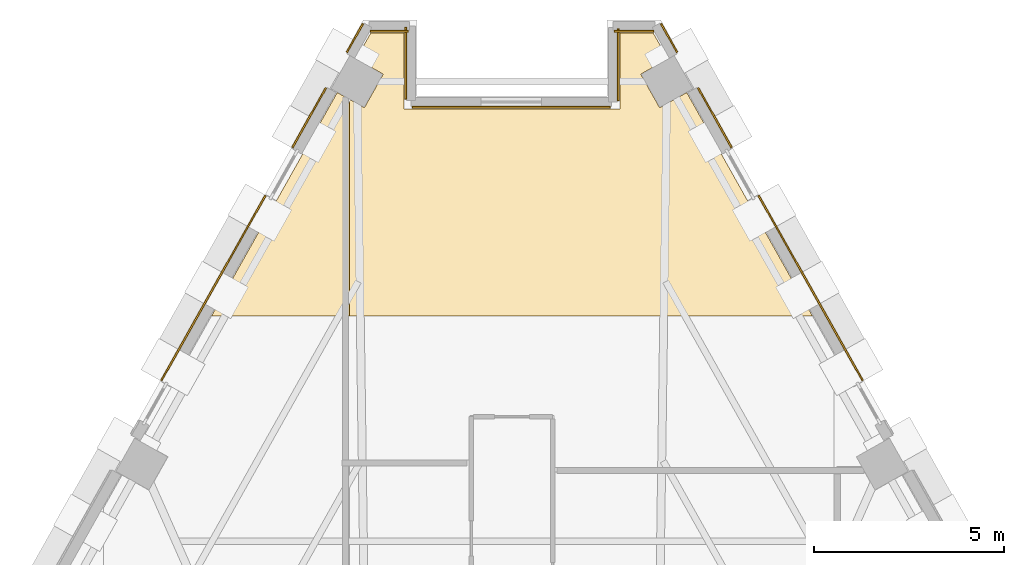
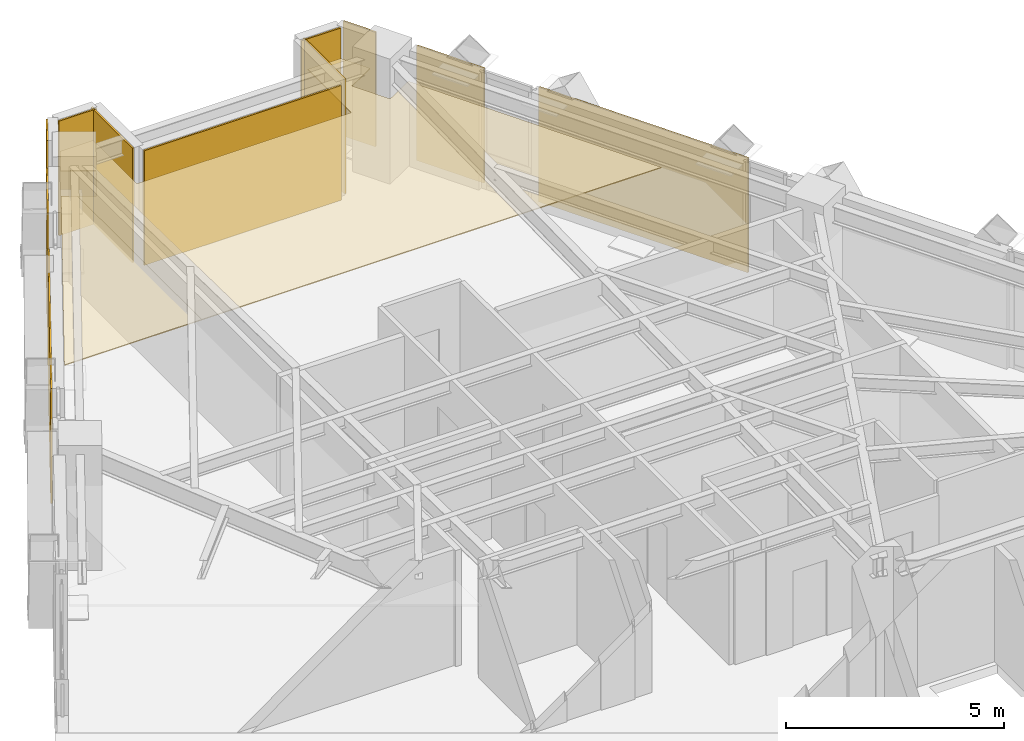
# One storey, part 13 of 13: 13 coverings.
"""IFC4 building model written with IfcOpenShell, lengths in metres."""

from ifc_helpers import new_model, si_unit, direction, frame, origin, place, context, subcontext, project, spatial, polyline, outline, extrude, material, layer, layer_set, type_object, element, save


model = new_model("IFC4")

# Units and contexts
model_context = context("Model", 3, precision=1e-05, world=origin(), true_north=direction((0.0, 1.0)))
body_context = subcontext(model_context, "Body", "Model", "MODEL_VIEW")
ifc_project = project(units=[si_unit("LENGTHUNIT", "METRE"), si_unit("AREAUNIT", "SQUARE_METRE"), si_unit("VOLUMEUNIT", "CUBIC_METRE"), si_unit("PLANEANGLEUNIT", "RADIAN"), si_unit("MASSUNIT", "GRAM", prefix="KILO")], contexts=[model_context])

# Site, building, storey
site_placement = place(None, origin())
site = spatial("IfcSite", under=ifc_project, at=site_placement, CompositionType="ELEMENT")
building_placement = place(site_placement, origin())
building = spatial("IfcBuilding", under=site, at=building_placement, Name="Quenlor Broadcast Tower", CompositionType="ELEMENT")
storey_placement = place(building_placement, frame((0.0, 0.0, 151.0)))
storey = spatial("IfcBuildingStorey", under=building, at=storey_placement, Name="L41", CompositionType="ELEMENT", Elevation=151.0)

# Coverings
ifc_material_1 = material(Name="Acoustic Mineral Fibre Board", Category="other")
ifc_layer_1 = layer(ifc_material_1, 0.02490234375)
ifc_layer_set_1 = layer_set([ifc_layer_1], Name="Acoustic Perforated Mineral Tile Ceiling 25")
covering_type_1 = type_object("IfcCoveringType", Name="Acoustic Perforated Mineral Tile Ceiling 25", PredefinedType="CEILING", material=ifc_layer_set_1)
covering_1_placement = place(storey_placement, frame((0.0, 0.0, 2.375)))
element("IfcCovering", 1, at=covering_1_placement, inside=storey, type_object=covering_type_1, Name="L41 Acoustic Ceiling L41-29-2", PredefinedType="CEILING", context=body_context, shape_type="SweptSolid", body=[
    extrude(outline(polyline([(2.840087890625, 18.10009765625), (2.840087890625, 20.10009765625), (3.71630859375, 20.10009765625), (4.100341796875, 19.416748046875), (3.387451171875, 19.015869140625), (3.885498046875, 18.13037109375), (4.598388671875, 18.53125), (7.90673828125, 12.64990234375), (-4.300048828125, 12.64990234375), (-4.300048828125, 18.36328125), (-3.885498046875, 18.13037109375), (-3.387451171875, 19.015869140625), (-4.100341796875, 19.416748046875), (-3.71630859375, 20.10009765625), (-2.840087890625, 20.10009765625), (-2.840087890625, 18.10009765625), (2.840087890625, 18.10009765625)])), origin(), (0.0, 0.0, 1.0), 0.02490234375),
])
covering_2_placement = place(storey_placement, frame((0.0, 0.0, 2.375)))
element("IfcCovering", 2, at=covering_2_placement, inside=storey, type_object=covering_type_1, Name="L41 Acoustic Ceiling L41-35-3", PredefinedType="CEILING", context=body_context, shape_type="SweptSolid", body=[
    extrude(outline(polyline([(-6.2578125, 15.581787109375), (-4.598388671875, 18.53125), (-4.27001953125, 18.346435546875), (-4.27001953125, 12.64990234375), (-7.90673828125, 12.64990234375), (-6.2578125, 15.581787109375)])), origin(), (0.0, 0.0, 1.0), 0.02490234375),
])
ifc_material_2 = material(Name="Architectural Terracotta Ceramic", Category="masonry")
ifc_layer_2 = layer(ifc_material_2, 0.044921875)
ifc_layer_set_2 = layer_set([ifc_layer_2], Name="Fluted Terracotta Rainscreen Cladding Panel")
covering_type_2 = type_object("IfcCoveringType", Name="Fluted Terracotta Rainscreen Cladding Panel", PredefinedType="CLADDING", material=ifc_layer_set_2)
covering_3_placement = place(storey_placement, frame((0.0, 0.0, 0.02001953125)))
element("IfcCovering", 3, at=covering_3_placement, inside=storey, type_object=covering_type_2, Name="L41 Terracotta Rainscreen Cladding L41-SHD-NES0", PredefinedType="CLADDING", context=body_context, shape_type="SweptSolid", body=[
    extrude(outline(polyline([(3.904296875, 20.330810546875), (4.32861328125, 19.576171875), (4.367919921875, 19.59814453125), (3.943359375, 20.352783203125), (3.904296875, 20.330810546875)])), origin(), (0.0, 0.0, 1.0), 3.2099609375),
])
covering_4_placement = place(storey_placement, frame((0.0, 0.0, 0.02001953125)))
element("IfcCovering", 4, at=covering_4_placement, inside=storey, type_object=covering_type_2, Name="L41 Terracotta Rainscreen Cladding L41-NEA-SP1", PredefinedType="CLADDING", context=body_context, shape_type="SweptSolid", body=[
    extrude(outline(polyline([(4.880615234375, 18.635986328125), (5.760986328125, 17.070556640625), (5.80029296875, 17.092529296875), (4.919677734375, 18.657958984375), (4.880615234375, 18.635986328125)])), origin(), (0.0, 0.0, 1.0), 3.2099609375),
])
covering_5_placement = place(storey_placement, frame((0.0, 0.0, 0.02001953125)))
element("IfcCovering", 5, at=covering_5_placement, inside=storey, type_object=covering_type_2, Name="L41 Terracotta Rainscreen Cladding L41-NEA-SP2", PredefinedType="CLADDING", context=body_context, shape_type="SweptSolid", body=[
    extrude(outline(polyline([(6.4716796875, 15.806884765625), (9.208984375, 10.940673828125), (9.248291015625, 10.962646484375), (6.510986328125, 15.8291015625), (6.4716796875, 15.806884765625)])), origin(), (0.0, 0.0, 1.0), 3.2099609375),
])
covering_6_placement = place(storey_placement, frame((0.0, 0.0, 0.02001953125)))
element("IfcCovering", 6, at=covering_6_placement, inside=storey, type_object=covering_type_2, Name="L41 Terracotta Rainscreen Cladding L41-SHD-NWS1", PredefinedType="CLADDING", context=body_context, shape_type="SweptSolid", body=[
    extrude(outline(polyline([(-4.32861328125, 19.576171875), (-3.904296875, 20.330810546875), (-3.943359375, 20.352783203125), (-4.367919921875, 19.59814453125), (-4.32861328125, 19.576171875)])), origin(), (0.0, 0.0, 1.0), 3.2099609375),
])
covering_7_placement = place(storey_placement, frame((0.0, 0.0, 0.02001953125)))
element("IfcCovering", 7, at=covering_7_placement, inside=storey, type_object=covering_type_2, Name="L41 Terracotta Rainscreen Cladding L41-NWC-SP2", PredefinedType="CLADDING", context=body_context, shape_type="SweptSolid", body=[
    extrude(outline(polyline([(-9.208984375, 10.940673828125), (-6.4716796875, 15.806884765625), (-6.510986328125, 15.8291015625), (-9.248291015625, 10.962646484375), (-9.208984375, 10.940673828125)])), origin(), (0.0, 0.0, 1.0), 3.2099609375),
])
covering_8_placement = place(storey_placement, frame((0.0, 0.0, 0.02001953125)))
element("IfcCovering", 8, at=covering_8_placement, inside=storey, type_object=covering_type_2, Name="L41 Terracotta Rainscreen Cladding L41-NWC-SP3", PredefinedType="CLADDING", context=body_context, shape_type="SweptSolid", body=[
    extrude(outline(polyline([(-5.760986328125, 17.070556640625), (-4.880615234375, 18.635986328125), (-4.919677734375, 18.657958984375), (-5.80029296875, 17.092529296875), (-5.760986328125, 17.070556640625)])), origin(), (0.0, 0.0, 1.0), 3.2099609375),
])
covering_9_placement = place(storey_placement, frame((0.0, 0.0, 0.02001953125)))
element("IfcCovering", 9, at=covering_9_placement, inside=storey, type_object=covering_type_2, Name="L41 Terracotta Rainscreen Cladding L41-CNR-06", PredefinedType="CLADDING", context=body_context, shape_type="SweptSolid", body=[
    extrude(outline(polyline([(3.7314453125, 20.16796875), (2.68994140625, 20.16796875), (2.68994140625, 20.123046875), (3.7314453125, 20.123046875), (3.7314453125, 20.16796875)])), origin(), (0.0, 0.0, 1.0), 3.2099609375),
])
covering_10_placement = place(storey_placement, frame((0.0, 0.0, 0.02001953125)))
element("IfcCovering", 10, at=covering_10_placement, inside=storey, type_object=covering_type_2, Name="L41 Terracotta Rainscreen Cladding L41-CNR-07", PredefinedType="CLADDING", context=body_context, shape_type="SweptSolid", body=[
    extrude(outline(polyline([(2.77197265625, 20.2099609375), (2.77197265625, 18.31005859375), (2.81689453125, 18.31005859375), (2.81689453125, 20.2099609375), (2.77197265625, 20.2099609375)])), origin(), (0.0, 0.0, 1.0), 3.2099609375),
])
covering_11_placement = place(storey_placement, frame((0.0, 0.0, 0.02001953125)))
element("IfcCovering", 11, at=covering_11_placement, inside=storey, type_object=covering_type_2, Name="L41 Terracotta Rainscreen Cladding L41-CNR-08", PredefinedType="CLADDING", context=body_context, shape_type="SweptSolid", body=[
    extrude(outline(polyline([(2.590087890625, 18.16796875), (-2.6298828125, 18.16796875), (-2.6298828125, 18.123046875), (2.590087890625, 18.123046875), (2.590087890625, 18.16796875)])), origin(), (0.0, 0.0, 1.0), 3.2099609375),
])
covering_12_placement = place(storey_placement, frame((0.0, 0.0, 0.02001953125)))
element("IfcCovering", 12, at=covering_12_placement, inside=storey, type_object=covering_type_2, Name="L41 Terracotta Rainscreen Cladding L41-CNR-09", PredefinedType="CLADDING", context=body_context, shape_type="SweptSolid", body=[
    extrude(outline(polyline([(-2.77197265625, 18.35009765625), (-2.77197265625, 20.25), (-2.81689453125, 20.25), (-2.81689453125, 18.35009765625), (-2.77197265625, 18.35009765625)])), origin(), (0.0, 0.0, 1.0), 3.2099609375),
])
covering_13_placement = place(storey_placement, frame((0.0, 0.0, 0.02001953125)))
element("IfcCovering", 13, at=covering_13_placement, inside=storey, type_object=covering_type_2, Name="L41 Terracotta Rainscreen Cladding L41-CNR-10", PredefinedType="CLADDING", context=body_context, shape_type="SweptSolid", body=[
    extrude(outline(polyline([(-2.72998046875, 20.16796875), (-3.7314453125, 20.16796875), (-3.7314453125, 20.123046875), (-2.72998046875, 20.123046875), (-2.72998046875, 20.16796875)])), origin(), (0.0, 0.0, 1.0), 3.2099609375),
])

save(model, "model.ifc")
